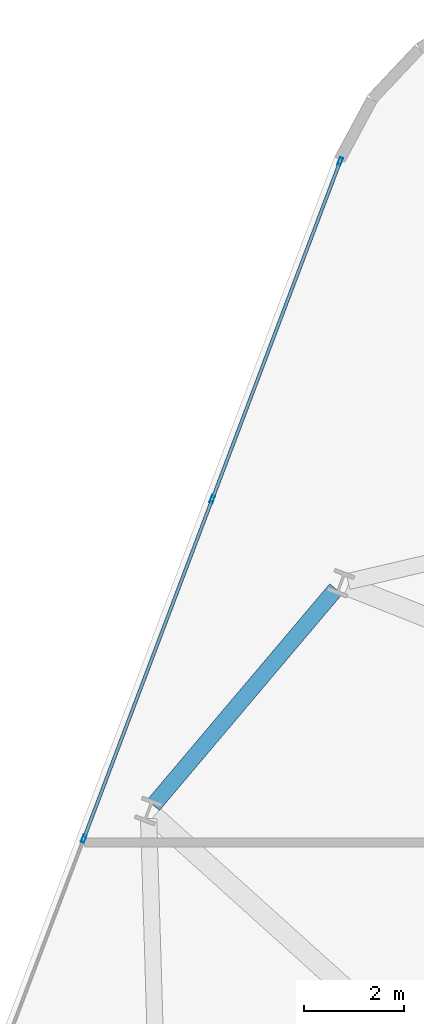
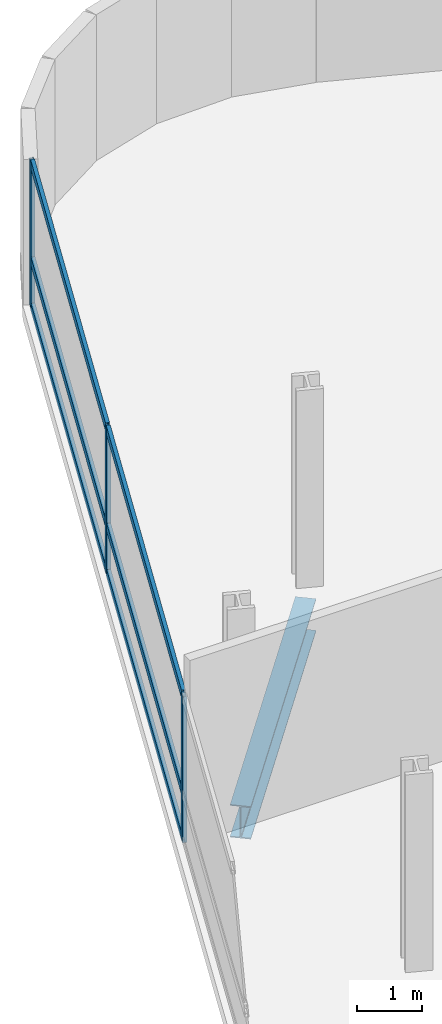
# One storey, part 8 of 25: 9 members, 1 beam, 1 element without a shape of its own.
"""IFC4 building model written with IfcOpenShell, lengths in metres."""

from ifc_helpers import new_model, si_unit, direction, frame, origin, origin_2d, place, context, subcontext, project, spatial, hollow_rectangle, i_section, extrude, material, layer, layer_set, material_profile, profile_set, type_object, element, aggregate, save


model = new_model("IFC4")

# Units and contexts
model_context = context("Model", 3, precision=1e-05, world=origin(), true_north=direction((0.0, 1.0)))
body_context = subcontext(model_context, "Body", "Model", "MODEL_VIEW")
ifc_project = project(units=[si_unit("LENGTHUNIT", "METRE"), si_unit("AREAUNIT", "SQUARE_METRE"), si_unit("VOLUMEUNIT", "CUBIC_METRE"), si_unit("PLANEANGLEUNIT", "RADIAN"), si_unit("MASSUNIT", "GRAM", prefix="KILO")], contexts=[model_context])

# Site, building, storey
site_placement = place(None, origin())
site = spatial("IfcSite", under=ifc_project, at=site_placement, CompositionType="ELEMENT")
building_placement = place(site_placement, origin())
building = spatial("IfcBuilding", under=site, at=building_placement, Name="Varnelok Gate Tower", CompositionType="ELEMENT")
storey_placement = place(building_placement, frame((0.0, 0.0, 105.800048828125)))
storey = spatial("IfcBuildingStorey", under=building, at=storey_placement, Name="L26", CompositionType="ELEMENT", Elevation=105.800048828125)

# Beam
ifc_material_1 = material(Name="Structural Steel ASTM A992 Grade 50", Category="steel")
ifc_material_profile_1 = material_profile(ifc_material_1, i_section(OverallWidth=0.323974609375, OverallDepth=0.611083984375, WebThickness=0.0126953125, FlangeThickness=0.01904296875, FilletRadius=0.01806640625, at=origin_2d()), Name="W24X104")
ifc_profile_set_1 = profile_set([ifc_material_profile_1], Name="Structural Steel ASTM A992 Grade 50")
beam_type = type_object("IfcBeamType", Name="BM-SPN-W24X104", PredefinedType="SPANDREL", material=ifc_profile_set_1)
beam_placement = place(storey_placement, frame((10.66650390625, 46.857666015625, -0.5556640625), z_axis=(-0.645376429405, -0.763864689829, 0.0), x_axis=(0.763864689829, -0.645376429405, 0.0)))
element("IfcBeam", 1, at=beam_placement, inside=storey, type_object=beam_type, Name="L26 Perimeter Spandrel Beam 14", PredefinedType="SPANDREL", context=body_context, shape_type="SweptSolid", body=[
    extrude(i_section(OverallWidth=0.323974609375, OverallDepth=0.611083984375, WebThickness=0.0126953125, FlangeThickness=0.01904296875, FilletRadius=0.01806640625, at=origin_2d()), origin(), (0.0, 0.0, 1.0), 5.64990234375),
])

# Curtain wall, members
ifc_material_2 = material(Name="Anodized Aluminum Alloy 6063-T6", Category="aluminium")
ifc_layer = layer(ifc_material_2, 0.179931640625)
ifc_layer_set = layer_set([ifc_layer], Name="Anodized Aluminum Alloy 6063-T6")
curtain_wall_type = type_object("IfcCurtainWallType", Name="CW3-HOTEL-VISION", PredefinedType="USERDEFINED", material=ifc_layer_set)
curtain_wall_placement = place(storey_placement, origin())
curtain_wall = element("IfcCurtainWall", 2, at=curtain_wall_placement, inside=storey, type_object=curtain_wall_type, Name="L26 West End Vision Curtain Wall", ObjectType="UNITISED CURTAIN WALL", PredefinedType="USERDEFINED")
ifc_material_profile_2 = material_profile(ifc_material_2, hollow_rectangle(XDim=0.06494140625, YDim=0.159912109375, WallThickness=0.00390625, at=origin_2d()), Name="ALU160X65X4")
ifc_profile_set_2 = profile_set([ifc_material_profile_2], Name="Anodized Aluminum Alloy 6063-T6")
member_type_1 = type_object("IfcMemberType", Name="CW-MULL-160", PredefinedType="MULLION", material=ifc_profile_set_2)
member_1_placement = place(storey_placement, frame((5.63525390625, 41.8779296875, 0.0), z_axis=(0.0, 0.0, 1.0), x_axis=(-0.935221323688, 0.354063660545, 0.0)))
member_1 = element("IfcMember", 3, at=member_1_placement, type_object=member_type_1, Name="CW3 mullion 4", PredefinedType="MULLION", context=body_context, shape_type="SweptSolid", body=[
    extrude(hollow_rectangle(XDim=0.06494140625, YDim=0.159912109375, WallThickness=0.00390625, at=origin_2d()), origin(), (0.0, 0.0, 1.0), 2.72998046875),
])
member_2_placement = place(storey_placement, frame((8.19873046875, 48.64892578125, 0.0), z_axis=(0.0, 0.0, 1.0), x_axis=(-0.935221323688, 0.354063660545, 0.0)))
member_2 = element("IfcMember", 4, at=member_2_placement, type_object=member_type_1, Name="CW3 mullion 5", PredefinedType="MULLION", context=body_context, shape_type="SweptSolid", body=[
    extrude(hollow_rectangle(XDim=0.06494140625, YDim=0.159912109375, WallThickness=0.00390625, at=origin_2d()), origin(), (0.0, 0.0, 1.0), 2.72998046875),
])
member_3_placement = place(storey_placement, frame((10.750732421875, 55.389404296875, 0.0), z_axis=(0.0, 0.0, 1.0), x_axis=(-0.935221323688, 0.354063660545, 0.0)))
member_3 = element("IfcMember", 5, at=member_3_placement, type_object=member_type_1, Name="CW3 mullion 6", PredefinedType="MULLION", context=body_context, shape_type="SweptSolid", body=[
    extrude(hollow_rectangle(XDim=0.06494140625, YDim=0.159912109375, WallThickness=0.00390625, at=origin_2d()), origin(), (0.0, 0.0, 1.0), 2.72998046875),
])
ifc_material_profile_3 = material_profile(ifc_material_2, hollow_rectangle(XDim=0.06494140625, YDim=0.159912109375, WallThickness=0.00390625, at=origin_2d()), Name="ALU160X65X4")
ifc_profile_set_3 = profile_set([ifc_material_profile_3], Name="Anodized Aluminum Alloy 6063-T6")
member_type_2 = type_object("IfcMemberType", Name="CW-TRAN-160", PredefinedType="USERDEFINED", material=ifc_profile_set_3)
member_4_placement = place(storey_placement, frame((5.64697265625, 41.908203125, 0.032470703125), z_axis=(0.354048963644, 0.935226887628, 0.0), x_axis=(-0.935226887628, 0.354048963644, 0.0)))
member_4 = element("IfcMember", 6, at=member_4_placement, type_object=member_type_2, Name="CW3 transom 4.1", ObjectType="TRANSOM", PredefinedType="USERDEFINED", context=body_context, shape_type="SweptSolid", body=[
    extrude(hollow_rectangle(XDim=0.06494140625, YDim=0.159912109375, WallThickness=0.00390625, at=origin_2d()), origin(), (0.0, 0.0, 1.0), 7.175048828125),
])
member_5_placement = place(storey_placement, frame((5.64697265625, 41.908203125, 0.89990234375), z_axis=(0.354048963644, 0.935226887628, 0.0), x_axis=(-0.935226887628, 0.354048963644, 0.0)))
member_5 = element("IfcMember", 7, at=member_5_placement, type_object=member_type_2, Name="CW3 transom 4.2", ObjectType="TRANSOM", PredefinedType="USERDEFINED", context=body_context, shape_type="SweptSolid", body=[
    extrude(hollow_rectangle(XDim=0.06494140625, YDim=0.159912109375, WallThickness=0.00390625, at=origin_2d()), origin(), (0.0, 0.0, 1.0), 7.175048828125),
])
member_6_placement = place(storey_placement, frame((5.64697265625, 41.908203125, 2.697509765625), z_axis=(0.354048963644, 0.935226887628, 0.0), x_axis=(-0.935226887628, 0.354048963644, 0.0)))
member_6 = element("IfcMember", 8, at=member_6_placement, type_object=member_type_2, Name="CW3 transom 4.3", ObjectType="TRANSOM", PredefinedType="USERDEFINED", context=body_context, shape_type="SweptSolid", body=[
    extrude(hollow_rectangle(XDim=0.06494140625, YDim=0.159912109375, WallThickness=0.00390625, at=origin_2d()), origin(), (0.0, 0.0, 1.0), 7.175048828125),
])
member_7_placement = place(storey_placement, frame((8.210205078125, 48.67919921875, 0.032470703125), z_axis=(0.354077146385, 0.935216217999, 0.0), x_axis=(-0.935216217999, 0.354077146385, 0.0)))
member_7 = element("IfcMember", 9, at=member_7_placement, type_object=member_type_2, Name="CW3 transom 5.1", ObjectType="TRANSOM", PredefinedType="USERDEFINED", context=body_context, shape_type="SweptSolid", body=[
    extrude(hollow_rectangle(XDim=0.06494140625, YDim=0.159912109375, WallThickness=0.00390625, at=origin_2d()), origin(), (0.0, 0.0, 1.0), 7.142578125),
])
member_8_placement = place(storey_placement, frame((8.210205078125, 48.67919921875, 0.89990234375), z_axis=(0.354077146385, 0.935216217999, 0.0), x_axis=(-0.935216217999, 0.354077146385, 0.0)))
member_8 = element("IfcMember", 10, at=member_8_placement, type_object=member_type_2, Name="CW3 transom 5.2", ObjectType="TRANSOM", PredefinedType="USERDEFINED", context=body_context, shape_type="SweptSolid", body=[
    extrude(hollow_rectangle(XDim=0.06494140625, YDim=0.159912109375, WallThickness=0.00390625, at=origin_2d()), origin(), (0.0, 0.0, 1.0), 7.142578125),
])
member_9_placement = place(storey_placement, frame((8.210205078125, 48.67919921875, 2.697509765625), z_axis=(0.354077146385, 0.935216217999, 0.0), x_axis=(-0.935216217999, 0.354077146385, 0.0)))
member_9 = element("IfcMember", 11, at=member_9_placement, type_object=member_type_2, Name="CW3 transom 5.3", ObjectType="TRANSOM", PredefinedType="USERDEFINED", context=body_context, shape_type="SweptSolid", body=[
    extrude(hollow_rectangle(XDim=0.06494140625, YDim=0.159912109375, WallThickness=0.00390625, at=origin_2d()), origin(), (0.0, 0.0, 1.0), 7.142578125),
])
aggregate(curtain_wall, [member_1, member_2, member_3, member_4, member_5, member_6, member_7, member_8, member_9])

save(model, "model.ifc")
